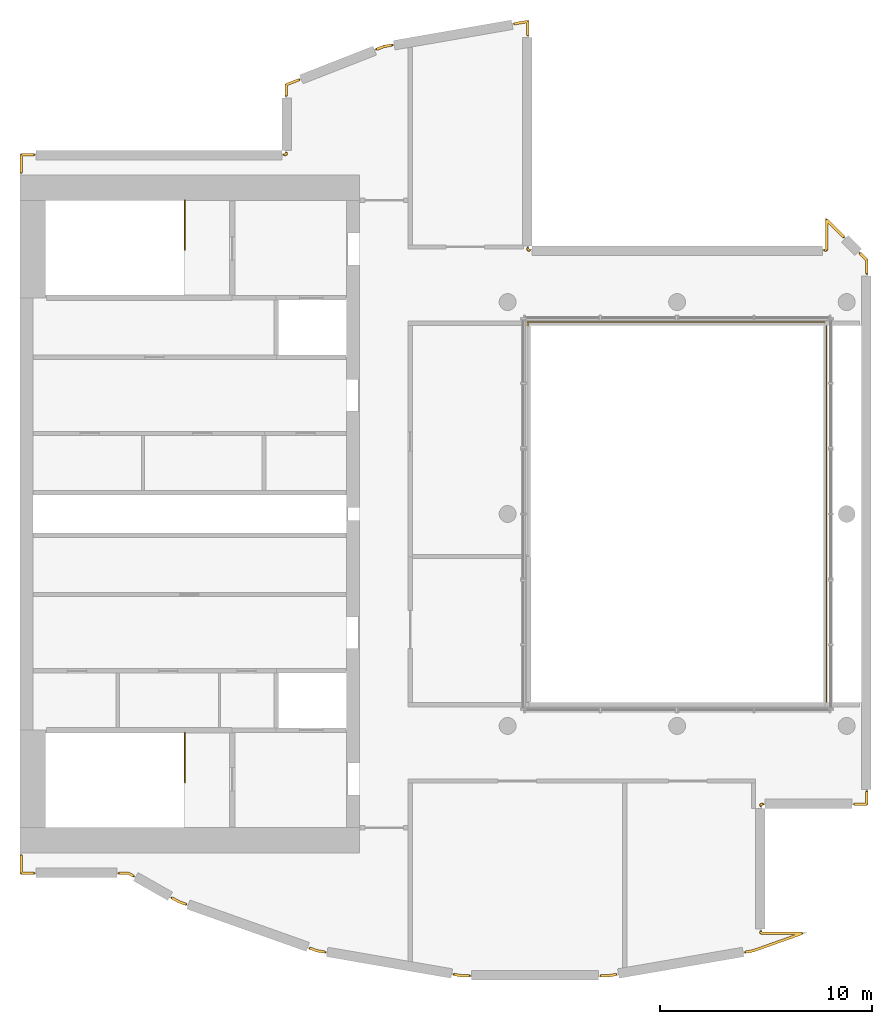
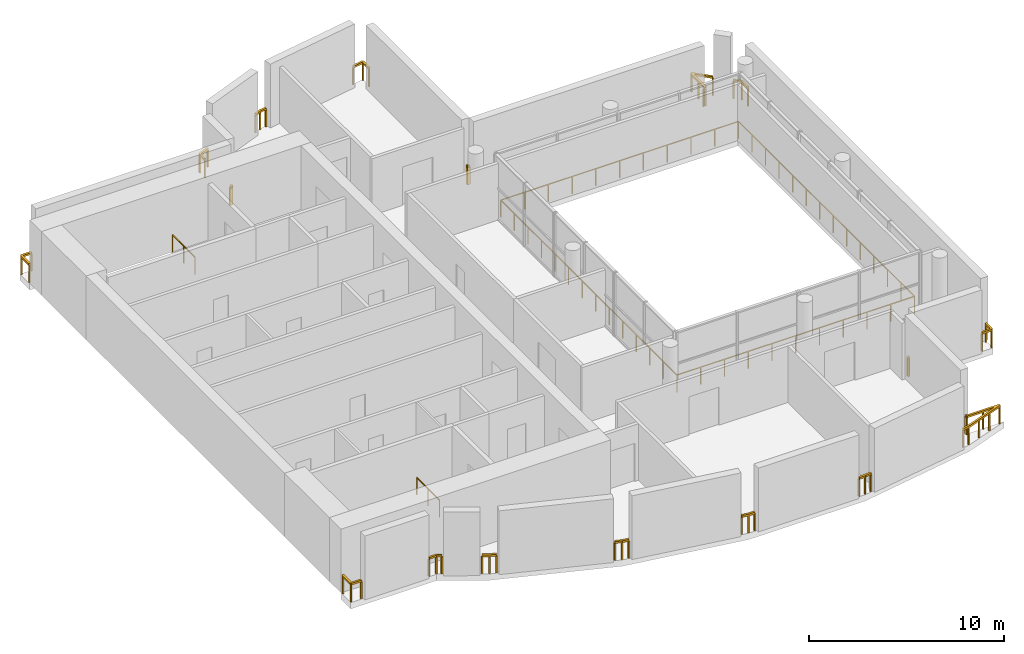
# One storey, part 6 of 6: 20 railings.
"""IFC4 building model written with IfcOpenShell, lengths in metres."""

from ifc_helpers import new_model, si_unit, direction, frame, origin, origin_2d, place, context, subcontext, project, spatial, rectangle, extrude, material, type_object, element, save


model = new_model("IFC4")

# Units and contexts
model_context = context("Model", 3, precision=1e-05, world=origin(), true_north=direction((0.0, 1.0)))
body_context = subcontext(model_context, "Body", "Model", "MODEL_VIEW")
ifc_project = project(units=[si_unit("LENGTHUNIT", "METRE"), si_unit("AREAUNIT", "SQUARE_METRE"), si_unit("VOLUMEUNIT", "CUBIC_METRE"), si_unit("PLANEANGLEUNIT", "RADIAN"), si_unit("MASSUNIT", "GRAM", prefix="KILO")], contexts=[model_context])

# Site, building, storey
site_placement = place(None, origin())
site = spatial("IfcSite", under=ifc_project, at=site_placement, CompositionType="ELEMENT")
building_placement = place(site_placement, origin())
building = spatial("IfcBuilding", under=site, at=building_placement, Name="Cypress Arch Tower", CompositionType="ELEMENT")
storey_placement = place(building_placement, frame((0.0, 0.0, 355.0)))
storey = spatial("IfcBuildingStorey", under=building, at=storey_placement, Name="L81", CompositionType="ELEMENT", Elevation=355.0)

# Railings
ifc_material_1 = material(Name="Stainless steel posts and handrail, laminated glass infill", Category="steel")
railing_type_1 = type_object("IfcRailingType", Name="Atrium guard GR1100A", PredefinedType="GUARDRAIL", material=ifc_material_1)
railing_1_placement = place(storey_placement, frame((8.050048828125, -9.050048828125, 0.0)))
element("IfcRailing", 1, at=railing_1_placement, inside=storey, type_object=railing_type_1, Name="Atrium guard L81", PredefinedType="GUARDRAIL", context=body_context, shape_type="SweptSolid", body=[
    extrude(rectangle(XDim=0.050048828125, YDim=0.050048828125, at=origin_2d()), frame((0.0, 0.0, 1.0751953125), z_axis=(-1.0, 0.0, 0.0), x_axis=(0.0, -1.0, 0.0)), (0.0, 0.0, 1.0), 14.10009765625),
    extrude(rectangle(XDim=0.050048828125, YDim=0.050048828125, at=origin_2d()), frame((-14.10009765625, 0.0, 1.0751953125), z_axis=(0.0, 1.0, 0.0), x_axis=(-1.0, 0.0, 0.0)), (0.0, 0.0, 1.0), 18.10009765625),
    extrude(rectangle(XDim=0.050048828125, YDim=0.050048828125, at=origin_2d()), frame((-14.10009765625, 18.10009765625, 1.0751953125), z_axis=(1.0, 0.0, 0.0), x_axis=(0.0, 1.0, 0.0)), (0.0, 0.0, 1.0), 14.10009765625),
    extrude(rectangle(XDim=0.050048828125, YDim=0.050048828125, at=origin_2d()), frame((0.0, 18.10009765625, 1.0751953125), z_axis=(0.0, -1.0, 0.0), x_axis=(1.0, 0.0, 0.0)), (0.0, 0.0, 1.0), 18.10009765625),
    extrude(rectangle(XDim=0.050048828125, YDim=0.050048828125, at=origin_2d()), origin(), (0.0, 0.0, 1.0), 1.050048828125),
    extrude(rectangle(XDim=0.050048828125, YDim=0.050048828125, at=origin_2d()), frame((-1.409912109375, 0.0, 0.0)), (0.0, 0.0, 1.0), 1.050048828125),
    extrude(rectangle(XDim=0.050048828125, YDim=0.050048828125, at=origin_2d()), frame((-2.820068359375, 0.0, 0.0)), (0.0, 0.0, 1.0), 1.050048828125),
    extrude(rectangle(XDim=0.050048828125, YDim=0.050048828125, at=origin_2d()), frame((-4.22998046875, 0.0, 0.0)), (0.0, 0.0, 1.0), 1.050048828125),
    extrude(rectangle(XDim=0.050048828125, YDim=0.050048828125, at=origin_2d()), frame((-5.64013671875, 0.0, 0.0)), (0.0, 0.0, 1.0), 1.050048828125),
    extrude(rectangle(XDim=0.050048828125, YDim=0.050048828125, at=origin_2d()), frame((-7.050048828125, 0.0, 0.0)), (0.0, 0.0, 1.0), 1.050048828125),
    extrude(rectangle(XDim=0.050048828125, YDim=0.050048828125, at=origin_2d()), frame((-8.4599609375, 0.0, 0.0)), (0.0, 0.0, 1.0), 1.050048828125),
    extrude(rectangle(XDim=0.050048828125, YDim=0.050048828125, at=origin_2d()), frame((-9.8701171875, 0.0, 0.0)), (0.0, 0.0, 1.0), 1.050048828125),
    extrude(rectangle(XDim=0.050048828125, YDim=0.050048828125, at=origin_2d()), frame((-11.280029296875, 0.0, 0.0)), (0.0, 0.0, 1.0), 1.050048828125),
    extrude(rectangle(XDim=0.050048828125, YDim=0.050048828125, at=origin_2d()), frame((-12.690185546875, 0.0, 0.0)), (0.0, 0.0, 1.0), 1.050048828125),
    extrude(rectangle(XDim=0.050048828125, YDim=0.050048828125, at=origin_2d()), frame((-14.10009765625, 0.0, 0.0)), (0.0, 0.0, 1.0), 1.050048828125),
    extrude(rectangle(XDim=0.050048828125, YDim=0.050048828125, at=origin_2d()), frame((-14.10009765625, 1.392333984375, 0.0)), (0.0, 0.0, 1.0), 1.050048828125),
    extrude(rectangle(XDim=0.050048828125, YDim=0.050048828125, at=origin_2d()), frame((-14.10009765625, 2.78466796875, 0.0)), (0.0, 0.0, 1.0), 1.050048828125),
    extrude(rectangle(XDim=0.050048828125, YDim=0.050048828125, at=origin_2d()), frame((-14.10009765625, 4.177001953125, 0.0)), (0.0, 0.0, 1.0), 1.050048828125),
    extrude(rectangle(XDim=0.050048828125, YDim=0.050048828125, at=origin_2d()), frame((-14.10009765625, 5.5693359375, 0.0)), (0.0, 0.0, 1.0), 1.050048828125),
    extrude(rectangle(XDim=0.050048828125, YDim=0.050048828125, at=origin_2d()), frame((-14.10009765625, 6.961669921875, 0.0)), (0.0, 0.0, 1.0), 1.050048828125),
    extrude(rectangle(XDim=0.050048828125, YDim=0.050048828125, at=origin_2d()), frame((-14.10009765625, 8.35400390625, 0.0)), (0.0, 0.0, 1.0), 1.050048828125),
    extrude(rectangle(XDim=0.050048828125, YDim=0.050048828125, at=origin_2d()), frame((-14.10009765625, 9.74609375, 0.0)), (0.0, 0.0, 1.0), 1.050048828125),
    extrude(rectangle(XDim=0.050048828125, YDim=0.050048828125, at=origin_2d()), frame((-14.10009765625, 11.138427734375, 0.0)), (0.0, 0.0, 1.0), 1.050048828125),
    extrude(rectangle(XDim=0.050048828125, YDim=0.050048828125, at=origin_2d()), frame((-14.10009765625, 12.53076171875, 0.0)), (0.0, 0.0, 1.0), 1.050048828125),
    extrude(rectangle(XDim=0.050048828125, YDim=0.050048828125, at=origin_2d()), frame((-14.10009765625, 13.923095703125, 0.0)), (0.0, 0.0, 1.0), 1.050048828125),
    extrude(rectangle(XDim=0.050048828125, YDim=0.050048828125, at=origin_2d()), frame((-14.10009765625, 15.3154296875, 0.0)), (0.0, 0.0, 1.0), 1.050048828125),
    extrude(rectangle(XDim=0.050048828125, YDim=0.050048828125, at=origin_2d()), frame((-14.10009765625, 16.707763671875, 0.0)), (0.0, 0.0, 1.0), 1.050048828125),
    extrude(rectangle(XDim=0.050048828125, YDim=0.050048828125, at=origin_2d()), frame((-14.10009765625, 18.10009765625, 0.0)), (0.0, 0.0, 1.0), 1.050048828125),
    extrude(rectangle(XDim=0.050048828125, YDim=0.050048828125, at=origin_2d()), frame((-12.690185546875, 18.10009765625, 0.0)), (0.0, 0.0, 1.0), 1.050048828125),
    extrude(rectangle(XDim=0.050048828125, YDim=0.050048828125, at=origin_2d()), frame((-11.280029296875, 18.10009765625, 0.0)), (0.0, 0.0, 1.0), 1.050048828125),
    extrude(rectangle(XDim=0.050048828125, YDim=0.050048828125, at=origin_2d()), frame((-9.8701171875, 18.10009765625, 0.0)), (0.0, 0.0, 1.0), 1.050048828125),
    extrude(rectangle(XDim=0.050048828125, YDim=0.050048828125, at=origin_2d()), frame((-8.4599609375, 18.10009765625, 0.0)), (0.0, 0.0, 1.0), 1.050048828125),
    extrude(rectangle(XDim=0.050048828125, YDim=0.050048828125, at=origin_2d()), frame((-7.050048828125, 18.10009765625, 0.0)), (0.0, 0.0, 1.0), 1.050048828125),
    extrude(rectangle(XDim=0.050048828125, YDim=0.050048828125, at=origin_2d()), frame((-5.64013671875, 18.10009765625, 0.0)), (0.0, 0.0, 1.0), 1.050048828125),
    extrude(rectangle(XDim=0.050048828125, YDim=0.050048828125, at=origin_2d()), frame((-4.22998046875, 18.10009765625, 0.0)), (0.0, 0.0, 1.0), 1.050048828125),
    extrude(rectangle(XDim=0.050048828125, YDim=0.050048828125, at=origin_2d()), frame((-2.820068359375, 18.10009765625, 0.0)), (0.0, 0.0, 1.0), 1.050048828125),
    extrude(rectangle(XDim=0.050048828125, YDim=0.050048828125, at=origin_2d()), frame((-1.409912109375, 18.10009765625, 0.0)), (0.0, 0.0, 1.0), 1.050048828125),
    extrude(rectangle(XDim=0.050048828125, YDim=0.050048828125, at=origin_2d()), frame((0.0, 18.10009765625, 0.0)), (0.0, 0.0, 1.0), 1.050048828125),
    extrude(rectangle(XDim=0.050048828125, YDim=0.050048828125, at=origin_2d()), frame((0.0, 16.707763671875, 0.0)), (0.0, 0.0, 1.0), 1.050048828125),
    extrude(rectangle(XDim=0.050048828125, YDim=0.050048828125, at=origin_2d()), frame((0.0, 15.3154296875, 0.0)), (0.0, 0.0, 1.0), 1.050048828125),
    extrude(rectangle(XDim=0.050048828125, YDim=0.050048828125, at=origin_2d()), frame((0.0, 13.923095703125, 0.0)), (0.0, 0.0, 1.0), 1.050048828125),
    extrude(rectangle(XDim=0.050048828125, YDim=0.050048828125, at=origin_2d()), frame((0.0, 12.53076171875, 0.0)), (0.0, 0.0, 1.0), 1.050048828125),
    extrude(rectangle(XDim=0.050048828125, YDim=0.050048828125, at=origin_2d()), frame((0.0, 11.138427734375, 0.0)), (0.0, 0.0, 1.0), 1.050048828125),
    extrude(rectangle(XDim=0.050048828125, YDim=0.050048828125, at=origin_2d()), frame((0.0, 9.74609375, 0.0)), (0.0, 0.0, 1.0), 1.050048828125),
    extrude(rectangle(XDim=0.050048828125, YDim=0.050048828125, at=origin_2d()), frame((0.0, 8.35400390625, 0.0)), (0.0, 0.0, 1.0), 1.050048828125),
    extrude(rectangle(XDim=0.050048828125, YDim=0.050048828125, at=origin_2d()), frame((0.0, 6.961669921875, 0.0)), (0.0, 0.0, 1.0), 1.050048828125),
    extrude(rectangle(XDim=0.050048828125, YDim=0.050048828125, at=origin_2d()), frame((0.0, 5.5693359375, 0.0)), (0.0, 0.0, 1.0), 1.050048828125),
    extrude(rectangle(XDim=0.050048828125, YDim=0.050048828125, at=origin_2d()), frame((0.0, 4.177001953125, 0.0)), (0.0, 0.0, 1.0), 1.050048828125),
    extrude(rectangle(XDim=0.050048828125, YDim=0.050048828125, at=origin_2d()), frame((0.0, 2.78466796875, 0.0)), (0.0, 0.0, 1.0), 1.050048828125),
    extrude(rectangle(XDim=0.050048828125, YDim=0.050048828125, at=origin_2d()), frame((0.0, 1.392333984375, 0.0)), (0.0, 0.0, 1.0), 1.050048828125),
])
ifc_material_2 = material(Name="Stainless steel posts and handrail, laminated glass infill", Category="steel")
railing_type_2 = type_object("IfcRailingType", Name="Deck guard GR1200D", PredefinedType="GUARDRAIL", material=ifc_material_2)
railing_2_placement = place(storey_placement, frame((-29.35009765625, -16.949951171875, 0.0)))
element("IfcRailing", 2, at=railing_2_placement, inside=storey, type_object=railing_type_2, Name="Crown edge guard L81 1", PredefinedType="GUARDRAIL", context=body_context, shape_type="SweptSolid", body=[
    extrude(rectangle(XDim=0.1201171875, YDim=0.1201171875, at=origin_2d()), frame((0.0, 0.0, 1.139892578125), z_axis=(-1.0, 0.0, 0.0), x_axis=(0.0, -1.0, 0.0)), (0.0, 0.0, 1.0), 0.599853515625),
    extrude(rectangle(XDim=0.1201171875, YDim=0.1201171875, at=origin_2d()), frame((-0.599853515625, 0.0, 1.139892578125), z_axis=(0.0, 1.0, 0.0), x_axis=(-1.0, 0.0, 0.0)), (0.0, 0.0, 1.0), 0.849853515625),
    extrude(rectangle(XDim=0.080078125, YDim=0.080078125, at=origin_2d()), origin(), (0.0, 0.0, 1.0), 1.079833984375),
    extrude(rectangle(XDim=0.080078125, YDim=0.080078125, at=origin_2d()), frame((-0.599853515625, 0.0, 0.0)), (0.0, 0.0, 1.0), 1.079833984375),
    extrude(rectangle(XDim=0.080078125, YDim=0.080078125, at=origin_2d()), frame((-0.599853515625, 0.849853515625, 0.0)), (0.0, 0.0, 1.0), 1.079833984375),
])
railing_3_placement = place(storey_placement, frame((-29.949951171875, 16.10009765625, 0.0)))
element("IfcRailing", 3, at=railing_3_placement, inside=storey, type_object=railing_type_2, Name="Crown edge guard L81 2", PredefinedType="GUARDRAIL", context=body_context, shape_type="SweptSolid", body=[
    extrude(rectangle(XDim=0.1201171875, YDim=0.1201171875, at=origin_2d()), frame((0.0, 0.0, 1.139892578125), z_axis=(0.0, 1.0, 0.0), x_axis=(-1.0, 0.0, 0.0)), (0.0, 0.0, 1.0), 0.849853515625),
    extrude(rectangle(XDim=0.1201171875, YDim=0.1201171875, at=origin_2d()), frame((0.0, 0.849853515625, 1.139892578125), z_axis=(1.0, 0.0, 0.0), x_axis=(0.0, 1.0, 0.0)), (0.0, 0.0, 1.0), 0.599853515625),
    extrude(rectangle(XDim=0.080078125, YDim=0.080078125, at=origin_2d()), origin(), (0.0, 0.0, 1.0), 1.079833984375),
    extrude(rectangle(XDim=0.080078125, YDim=0.080078125, at=origin_2d()), frame((0.0, 0.849853515625, 0.0)), (0.0, 0.0, 1.0), 1.079833984375),
    extrude(rectangle(XDim=0.080078125, YDim=0.080078125, at=origin_2d()), frame((0.599853515625, 0.849853515625, 0.0)), (0.0, 0.0, 1.0), 1.079833984375),
])
railing_4_placement = place(storey_placement, frame((-24.6494140625, -17.08984375, 0.0)))
element("IfcRailing", 4, at=railing_4_placement, inside=storey, type_object=railing_type_2, Name="Crown edge guard L81 3", PredefinedType="GUARDRAIL", context=body_context, shape_type="SweptSolid", body=[
    extrude(rectangle(XDim=0.1201171875, YDim=0.1201171875, at=origin_2d()), frame((0.0, 0.0, 1.139892578125), z_axis=(-0.87040276366, 0.492340358911, 0.0), x_axis=(-0.492340358911, -0.87040276366, 0.0)), (0.0, 0.0, 1.0), 0.2841796875),
    extrude(rectangle(XDim=0.1201171875, YDim=0.1201171875, at=origin_2d()), frame((-0.247314453125, 0.139892578125, 1.139892578125), z_axis=(-1.0, 0.0, 0.0), x_axis=(0.0, -1.0, 0.0)), (0.0, 0.0, 1.0), 0.447509765625),
    extrude(rectangle(XDim=0.080078125, YDim=0.080078125, at=origin_2d()), origin(), (0.0, 0.0, 1.0), 1.079833984375),
    extrude(rectangle(XDim=0.080078125, YDim=0.080078125, at=origin_2d()), frame((-0.247314453125, 0.139892578125, 0.0)), (0.0, 0.0, 1.0), 1.079833984375),
    extrude(rectangle(XDim=0.080078125, YDim=0.080078125, at=origin_2d()), frame((-0.69482421875, 0.139892578125, 0.0)), (0.0, 0.0, 1.0), 1.079833984375),
])
railing_5_placement = place(storey_placement, frame((-22.168701171875, -18.418701171875, 0.0)))
element("IfcRailing", 5, at=railing_5_placement, inside=storey, type_object=railing_type_2, Name="Crown edge guard L81 4", PredefinedType="GUARDRAIL", context=body_context, shape_type="SweptSolid", body=[
    extrude(rectangle(XDim=0.1201171875, YDim=0.1201171875, at=origin_2d()), frame((0.0, 0.0, 1.139892578125), z_axis=(-0.942334309337, 0.334673048581, 0.0), x_axis=(-0.334673048581, -0.942334309337, 0.0)), (0.0, 0.0, 1.0), 0.3720703125),
    extrude(rectangle(XDim=0.1201171875, YDim=0.1201171875, at=origin_2d()), frame((-0.3505859375, 0.12451171875, 1.139892578125), z_axis=(-0.870574848938, 0.492036007215, 0.0), x_axis=(-0.492036007215, -0.870574848938, 0.0)), (0.0, 0.0, 1.0), 0.378662109375),
    extrude(rectangle(XDim=0.080078125, YDim=0.080078125, at=origin_2d()), origin(), (0.0, 0.0, 1.0), 1.079833984375),
    extrude(rectangle(XDim=0.080078125, YDim=0.080078125, at=origin_2d()), frame((-0.3505859375, 0.12451171875, 0.0)), (0.0, 0.0, 1.0), 1.079833984375),
    extrude(rectangle(XDim=0.080078125, YDim=0.080078125, at=origin_2d()), frame((-0.68017578125, 0.310791015625, 0.0)), (0.0, 0.0, 1.0), 1.079833984375),
])
railing_6_placement = place(storey_placement, frame((-17.550048828125, 16.949951171875, 0.0)))
element("IfcRailing", 6, at=railing_6_placement, inside=storey, type_object=railing_type_2, Name="Crown edge guard L81 5", PredefinedType="GUARDRAIL", context=body_context, shape_type="SweptSolid", body=[
    extrude(rectangle(XDim=0.1201171875, YDim=0.1201171875, at=origin_2d()), frame((0.0, 0.0, 1.139892578125), z_axis=(1.0, 0.0, 0.0), x_axis=(0.0, 1.0, 0.0)), (0.0, 0.0, 1.0), 0.10009765625),
    extrude(rectangle(XDim=0.1201171875, YDim=0.1201171875, at=origin_2d()), frame((0.10009765625, 0.0, 1.139892578125), z_axis=(0.0, 1.0, 0.0), x_axis=(-1.0, 0.0, 0.0)), (0.0, 0.0, 1.0), 0.10009765625),
    extrude(rectangle(XDim=0.080078125, YDim=0.080078125, at=origin_2d()), origin(), (0.0, 0.0, 1.0), 1.079833984375),
    extrude(rectangle(XDim=0.080078125, YDim=0.080078125, at=origin_2d()), frame((0.10009765625, 0.0, 0.0)), (0.0, 0.0, 1.0), 1.079833984375),
    extrude(rectangle(XDim=0.080078125, YDim=0.080078125, at=origin_2d()), frame((0.10009765625, 0.10009765625, 0.0)), (0.0, 0.0, 1.0), 1.079833984375),
])
railing_7_placement = place(storey_placement, frame((-17.449951171875, 19.7353515625, 0.0)))
element("IfcRailing", 7, at=railing_7_placement, inside=storey, type_object=railing_type_2, Name="Crown edge guard L81 6", PredefinedType="GUARDRAIL", context=body_context, shape_type="SweptSolid", body=[
    extrude(rectangle(XDim=0.1201171875, YDim=0.1201171875, at=origin_2d()), frame((0.0, 0.0, 1.139892578125), z_axis=(0.0, 1.0, 0.0), x_axis=(-1.0, 0.0, 0.0)), (0.0, 0.0, 1.0), 0.5205078125),
    extrude(rectangle(XDim=0.1201171875, YDim=0.1201171875, at=origin_2d()), frame((0.0, 0.5205078125, 1.139892578125), z_axis=(0.93118214657, 0.364554261954, 0.0), x_axis=(-0.364554261954, 0.93118214657, 0.0)), (0.0, 0.0, 1.0), 0.653564453125),
    extrude(rectangle(XDim=0.080078125, YDim=0.080078125, at=origin_2d()), origin(), (0.0, 0.0, 1.0), 1.079833984375),
    extrude(rectangle(XDim=0.080078125, YDim=0.080078125, at=origin_2d()), frame((0.0, 0.5205078125, 0.0)), (0.0, 0.0, 1.0), 1.079833984375),
    extrude(rectangle(XDim=0.080078125, YDim=0.080078125, at=origin_2d()), frame((0.608642578125, 0.7587890625, 0.0)), (0.0, 0.0, 1.0), 1.079833984375),
])
railing_8_placement = place(storey_placement, frame((-15.621337890625, -20.6748046875, 0.0)))
element("IfcRailing", 8, at=railing_8_placement, inside=storey, type_object=railing_type_2, Name="Crown edge guard L81 7", PredefinedType="GUARDRAIL", context=body_context, shape_type="SweptSolid", body=[
    extrude(rectangle(XDim=0.1201171875, YDim=0.1201171875, at=origin_2d()), frame((0.0, 0.0, 1.139892578125), z_axis=(-0.985399325675, 0.170259122982, 0.0), x_axis=(-0.170259122982, -0.985399325675, 0.0)), (0.0, 0.0, 1.0), 0.371337890625),
    extrude(rectangle(XDim=0.1201171875, YDim=0.1201171875, at=origin_2d()), frame((-0.365966796875, 0.063232421875, 1.139892578125), z_axis=(-0.942368632672, 0.334576389119, 0.0), x_axis=(-0.334576389119, -0.942368632672, 0.0)), (0.0, 0.0, 1.0), 0.3779296875),
    extrude(rectangle(XDim=0.080078125, YDim=0.080078125, at=origin_2d()), origin(), (0.0, 0.0, 1.0), 1.079833984375),
    extrude(rectangle(XDim=0.080078125, YDim=0.080078125, at=origin_2d()), frame((-0.365966796875, 0.063232421875, 0.0)), (0.0, 0.0, 1.0), 1.079833984375),
    extrude(rectangle(XDim=0.080078125, YDim=0.080078125, at=origin_2d()), frame((-0.72216796875, 0.189697265625, 0.0)), (0.0, 0.0, 1.0), 1.079833984375),
])
railing_9_placement = place(storey_placement, frame((-13.185791015625, 21.9248046875, 0.0)))
element("IfcRailing", 9, at=railing_9_placement, inside=storey, type_object=railing_type_2, Name="Crown edge guard L81 8", PredefinedType="GUARDRAIL", context=body_context, shape_type="SweptSolid", body=[
    extrude(rectangle(XDim=0.1201171875, YDim=0.1201171875, at=origin_2d()), frame((0.0, 0.0, 1.139892578125), z_axis=(0.931233178051, 0.364423885191, 0.0), x_axis=(-0.364423885191, 0.931233178051, 0.0)), (0.0, 0.0, 1.0), 0.375244140625),
    extrude(rectangle(XDim=0.1201171875, YDim=0.1201171875, at=origin_2d()), frame((0.349365234375, 0.13671875, 1.139892578125), z_axis=(0.985183769906, 0.171502010235, 0.0), x_axis=(-0.171502010235, 0.985183769906, 0.0)), (0.0, 0.0, 1.0), 0.38427734375),
    extrude(rectangle(XDim=0.080078125, YDim=0.080078125, at=origin_2d()), origin(), (0.0, 0.0, 1.0), 1.079833984375),
    extrude(rectangle(XDim=0.080078125, YDim=0.080078125, at=origin_2d()), frame((0.349365234375, 0.13671875, 0.0)), (0.0, 0.0, 1.0), 1.079833984375),
    extrude(rectangle(XDim=0.080078125, YDim=0.080078125, at=origin_2d()), frame((0.72802734375, 0.20263671875, 0.0)), (0.0, 0.0, 1.0), 1.079833984375),
])
railing_10_placement = place(storey_placement, frame((-8.794189453125, -21.7900390625, 0.0)))
element("IfcRailing", 10, at=railing_10_placement, inside=storey, type_object=railing_type_2, Name="Crown edge guard L81 9", PredefinedType="GUARDRAIL", context=body_context, shape_type="SweptSolid", body=[
    extrude(rectangle(XDim=0.1201171875, YDim=0.1201171875, at=origin_2d()), frame((0.0, 0.0, 1.139892578125), z_axis=(-1.0, 0.0, 0.0), x_axis=(0.0, -1.0, 0.0)), (0.0, 0.0, 1.0), 0.37158203125),
    extrude(rectangle(XDim=0.1201171875, YDim=0.1201171875, at=origin_2d()), frame((-0.37158203125, 0.0, 1.139892578125), z_axis=(-0.985363023372, 0.170469094476, 0.0), x_axis=(-0.170469094476, -0.985363023372, 0.0)), (0.0, 0.0, 1.0), 0.378173828125),
    extrude(rectangle(XDim=0.080078125, YDim=0.080078125, at=origin_2d()), origin(), (0.0, 0.0, 1.0), 1.079833984375),
    extrude(rectangle(XDim=0.080078125, YDim=0.080078125, at=origin_2d()), frame((-0.37158203125, 0.0, 0.0)), (0.0, 0.0, 1.0), 1.079833984375),
    extrude(rectangle(XDim=0.080078125, YDim=0.080078125, at=origin_2d()), frame((-0.744140625, 0.064453125, 0.0)), (0.0, 0.0, 1.0), 1.079833984375),
])
railing_11_placement = place(storey_placement, frame((-6.6875, 23.1298828125, 0.0)))
element("IfcRailing", 11, at=railing_11_placement, inside=storey, type_object=railing_type_2, Name="Crown edge guard L81 10", PredefinedType="GUARDRAIL", context=body_context, shape_type="SweptSolid", body=[
    extrude(rectangle(XDim=0.1201171875, YDim=0.1201171875, at=origin_2d()), frame((0.0, 0.0, 1.139892578125), z_axis=(0.985280914319, 0.170943031094, 0.0), x_axis=(-0.170943031094, 0.985280914319, 0.0)), (0.0, 0.0, 1.0), 0.64697265625),
    extrude(rectangle(XDim=0.1201171875, YDim=0.1201171875, at=origin_2d()), frame((0.637451171875, 0.110595703125, 1.139892578125), z_axis=(0.0, -1.0, 0.0), x_axis=(1.0, 0.0, 0.0)), (0.0, 0.0, 1.0), 0.65380859375),
    extrude(rectangle(XDim=0.080078125, YDim=0.080078125, at=origin_2d()), origin(), (0.0, 0.0, 1.0), 1.079833984375),
    extrude(rectangle(XDim=0.080078125, YDim=0.080078125, at=origin_2d()), frame((0.637451171875, 0.110595703125, 0.0)), (0.0, 0.0, 1.0), 1.079833984375),
    extrude(rectangle(XDim=0.080078125, YDim=0.080078125, at=origin_2d()), frame((0.637451171875, -0.543212890625, 0.0)), (0.0, 0.0, 1.0), 1.079833984375),
])
railing_12_placement = place(storey_placement, frame((-6.050048828125, 12.550048828125, 0.0)))
element("IfcRailing", 12, at=railing_12_placement, inside=storey, type_object=railing_type_2, Name="Crown edge guard L81 11", PredefinedType="GUARDRAIL", context=body_context, shape_type="SweptSolid", body=[
    extrude(rectangle(XDim=0.1201171875, YDim=0.1201171875, at=origin_2d()), frame((0.0, 0.0, 1.139892578125), z_axis=(0.0, -1.0, 0.0), x_axis=(1.0, 0.0, 0.0)), (0.0, 0.0, 1.0), 0.10009765625),
    extrude(rectangle(XDim=0.1201171875, YDim=0.1201171875, at=origin_2d()), frame((0.0, -0.10009765625, 1.139892578125), z_axis=(1.0, 0.0, 0.0), x_axis=(0.0, 1.0, 0.0)), (0.0, 0.0, 1.0), 0.10009765625),
    extrude(rectangle(XDim=0.080078125, YDim=0.080078125, at=origin_2d()), origin(), (0.0, 0.0, 1.0), 1.079833984375),
    extrude(rectangle(XDim=0.080078125, YDim=0.080078125, at=origin_2d()), frame((0.0, -0.10009765625, 0.0)), (0.0, 0.0, 1.0), 1.079833984375),
    extrude(rectangle(XDim=0.080078125, YDim=0.080078125, at=origin_2d()), frame((0.10009765625, -0.10009765625, 0.0)), (0.0, 0.0, 1.0), 1.079833984375),
])
railing_13_placement = place(storey_placement, frame((-1.868408203125, -21.726806640625, 0.0)))
element("IfcRailing", 13, at=railing_13_placement, inside=storey, type_object=railing_type_2, Name="Crown edge guard L81 12", PredefinedType="GUARDRAIL", context=body_context, shape_type="SweptSolid", body=[
    extrude(rectangle(XDim=0.1201171875, YDim=0.1201171875, at=origin_2d()), frame((0.0, 0.0, 1.139892578125), z_axis=(-0.985399325675, -0.170259122982, 0.0), x_axis=(0.170259122982, -0.985399325675, 0.0)), (0.0, 0.0, 1.0), 0.371337890625),
    extrude(rectangle(XDim=0.1201171875, YDim=0.1201171875, at=origin_2d()), frame((-0.365966796875, -0.063232421875, 1.139892578125), z_axis=(-1.0, 0.0, 0.0), x_axis=(0.0, -1.0, 0.0)), (0.0, 0.0, 1.0), 0.3779296875),
    extrude(rectangle(XDim=0.080078125, YDim=0.080078125, at=origin_2d()), origin(), (0.0, 0.0, 1.0), 1.079833984375),
    extrude(rectangle(XDim=0.080078125, YDim=0.080078125, at=origin_2d()), frame((-0.365966796875, -0.063232421875, 0.0)), (0.0, 0.0, 1.0), 1.079833984375),
    extrude(rectangle(XDim=0.080078125, YDim=0.080078125, at=origin_2d()), frame((-0.743896484375, -0.063232421875, 0.0)), (0.0, 0.0, 1.0), 1.079833984375),
])
railing_14_placement = place(storey_placement, frame((4.949951171875, -19.68994140625, 0.0)))
element("IfcRailing", 14, at=railing_14_placement, inside=storey, type_object=railing_type_2, Name="Crown edge guard L81 13", PredefinedType="GUARDRAIL", context=body_context, shape_type="SweptSolid", body=[
    extrude(rectangle(XDim=0.1201171875, YDim=0.1201171875, at=origin_2d()), frame((0.0, 0.0, 1.139892578125), z_axis=(0.0, -1.0, 0.0), x_axis=(1.0, 0.0, 0.0)), (0.0, 0.0, 1.0), 0.10009765625),
    extrude(rectangle(XDim=0.1201171875, YDim=0.1201171875, at=origin_2d()), frame((0.0, -0.10009765625, 1.139892578125), z_axis=(1.0, 0.0, 0.0), x_axis=(0.0, 1.0, 0.0)), (0.0, 0.0, 1.0), 1.949951171875),
    extrude(rectangle(XDim=0.1201171875, YDim=0.1201171875, at=origin_2d()), frame((1.949951171875, -0.10009765625, 1.139892578125), z_axis=(-0.942303280512, -0.33476040318, 0.0), x_axis=(0.33476040318, -0.942303280512, 0.0)), (0.0, 0.0, 1.0), 2.4541015625),
    extrude(rectangle(XDim=0.1201171875, YDim=0.1201171875, at=origin_2d()), frame((-0.362548828125, -0.921630859375, 1.139892578125), z_axis=(-0.9854712993, -0.169842039132, 0.0), x_axis=(0.169842039132, -0.9854712993, 0.0)), (0.0, 0.0, 1.0), 0.3779296875),
    extrude(rectangle(XDim=0.080078125, YDim=0.080078125, at=origin_2d()), origin(), (0.0, 0.0, 1.0), 1.079833984375),
    extrude(rectangle(XDim=0.080078125, YDim=0.080078125, at=origin_2d()), frame((0.0, -0.10009765625, 0.0)), (0.0, 0.0, 1.0), 1.079833984375),
    extrude(rectangle(XDim=0.080078125, YDim=0.080078125, at=origin_2d()), frame((0.97509765625, -0.10009765625, 0.0)), (0.0, 0.0, 1.0), 1.079833984375),
    extrude(rectangle(XDim=0.080078125, YDim=0.080078125, at=origin_2d()), frame((1.949951171875, -0.10009765625, 0.0)), (0.0, 0.0, 1.0), 1.079833984375),
    extrude(rectangle(XDim=0.080078125, YDim=0.080078125, at=origin_2d()), frame((1.17919921875, -0.3740234375, 0.0)), (0.0, 0.0, 1.0), 1.079833984375),
    extrude(rectangle(XDim=0.080078125, YDim=0.080078125, at=origin_2d()), frame((0.408203125, -0.647705078125, 0.0)), (0.0, 0.0, 1.0), 1.079833984375),
    extrude(rectangle(XDim=0.080078125, YDim=0.080078125, at=origin_2d()), frame((-0.362548828125, -0.921630859375, 0.0)), (0.0, 0.0, 1.0), 1.079833984375),
    extrude(rectangle(XDim=0.080078125, YDim=0.080078125, at=origin_2d()), frame((-0.735107421875, -0.98583984375, 0.0)), (0.0, 0.0, 1.0), 1.079833984375),
])
railing_15_placement = place(storey_placement, frame((5.050048828125, -13.68994140625, 0.0)))
element("IfcRailing", 15, at=railing_15_placement, inside=storey, type_object=railing_type_2, Name="Crown edge guard L81 14", PredefinedType="GUARDRAIL", context=body_context, shape_type="SweptSolid", body=[
    extrude(rectangle(XDim=0.1201171875, YDim=0.1201171875, at=origin_2d()), frame((0.0, 0.0, 1.139892578125), z_axis=(-1.0, 0.0, 0.0), x_axis=(0.0, -1.0, 0.0)), (0.0, 0.0, 1.0), 0.10009765625),
    extrude(rectangle(XDim=0.1201171875, YDim=0.1201171875, at=origin_2d()), frame((-0.10009765625, 0.0, 1.139892578125), z_axis=(0.0, -1.0, 0.0), x_axis=(1.0, 0.0, 0.0)), (0.0, 0.0, 1.0), 0.10009765625),
    extrude(rectangle(XDim=0.080078125, YDim=0.080078125, at=origin_2d()), origin(), (0.0, 0.0, 1.0), 1.079833984375),
    extrude(rectangle(XDim=0.080078125, YDim=0.080078125, at=origin_2d()), frame((-0.10009765625, 0.0, 0.0)), (0.0, 0.0, 1.0), 1.079833984375),
    extrude(rectangle(XDim=0.080078125, YDim=0.080078125, at=origin_2d()), frame((-0.10009765625, -0.10009765625, 0.0)), (0.0, 0.0, 1.0), 1.079833984375),
])
railing_16_placement = place(storey_placement, frame((7.949951171875, 12.449951171875, 0.0)))
element("IfcRailing", 16, at=railing_16_placement, inside=storey, type_object=railing_type_2, Name="Crown edge guard L81 15", PredefinedType="GUARDRAIL", context=body_context, shape_type="SweptSolid", body=[
    extrude(rectangle(XDim=0.1201171875, YDim=0.1201171875, at=origin_2d()), frame((0.0, 0.0, 1.139892578125), z_axis=(1.0, 0.0, 0.0), x_axis=(0.0, 1.0, 0.0)), (0.0, 0.0, 1.0), 0.10009765625),
    extrude(rectangle(XDim=0.1201171875, YDim=0.1201171875, at=origin_2d()), frame((0.10009765625, 0.0, 1.139892578125), z_axis=(0.0, 1.0, 0.0), x_axis=(-1.0, 0.0, 0.0)), (0.0, 0.0, 1.0), 1.429443359375),
    extrude(rectangle(XDim=0.1201171875, YDim=0.1201171875, at=origin_2d()), frame((0.10009765625, 1.429443359375, 1.139892578125), z_axis=(0.707106781187, -0.707106781187, 0.0), x_axis=(0.707106781187, 0.707106781187, 0.0)), (0.0, 0.0, 1.0), 1.14013671875),
    extrude(rectangle(XDim=0.080078125, YDim=0.080078125, at=origin_2d()), origin(), (0.0, 0.0, 1.0), 1.079833984375),
    extrude(rectangle(XDim=0.080078125, YDim=0.080078125, at=origin_2d()), frame((0.10009765625, 0.0, 0.0)), (0.0, 0.0, 1.0), 1.079833984375),
    extrude(rectangle(XDim=0.080078125, YDim=0.080078125, at=origin_2d()), frame((0.10009765625, 0.71484375, 0.0)), (0.0, 0.0, 1.0), 1.079833984375),
    extrude(rectangle(XDim=0.080078125, YDim=0.080078125, at=origin_2d()), frame((0.10009765625, 1.429443359375, 0.0)), (0.0, 0.0, 1.0), 1.079833984375),
    extrude(rectangle(XDim=0.080078125, YDim=0.080078125, at=origin_2d()), frame((0.90625, 0.623291015625, 0.0)), (0.0, 0.0, 1.0), 1.079833984375),
])
railing_17_placement = place(storey_placement, frame((9.949951171875, -13.090087890625, 0.0)))
element("IfcRailing", 17, at=railing_17_placement, inside=storey, type_object=railing_type_2, Name="Crown edge guard L81 16", PredefinedType="GUARDRAIL", context=body_context, shape_type="SweptSolid", body=[
    extrude(rectangle(XDim=0.1201171875, YDim=0.1201171875, at=origin_2d()), frame((0.0, 0.0, 1.139892578125), z_axis=(0.0, -1.0, 0.0), x_axis=(1.0, 0.0, 0.0)), (0.0, 0.0, 1.0), 0.599853515625),
    extrude(rectangle(XDim=0.1201171875, YDim=0.1201171875, at=origin_2d()), frame((0.0, -0.599853515625, 1.139892578125), z_axis=(-1.0, 0.0, 0.0), x_axis=(0.0, -1.0, 0.0)), (0.0, 0.0, 1.0), 0.599853515625),
    extrude(rectangle(XDim=0.080078125, YDim=0.080078125, at=origin_2d()), origin(), (0.0, 0.0, 1.0), 1.079833984375),
    extrude(rectangle(XDim=0.080078125, YDim=0.080078125, at=origin_2d()), frame((0.0, -0.599853515625, 0.0)), (0.0, 0.0, 1.0), 1.079833984375),
    extrude(rectangle(XDim=0.080078125, YDim=0.080078125, at=origin_2d()), frame((-0.599853515625, -0.599853515625, 0.0)), (0.0, 0.0, 1.0), 1.079833984375),
])
railing_18_placement = place(storey_placement, frame((9.62939453125, 12.300048828125, 0.0)))
element("IfcRailing", 18, at=railing_18_placement, inside=storey, type_object=railing_type_2, Name="Crown edge guard L81 17", PredefinedType="GUARDRAIL", context=body_context, shape_type="SweptSolid", body=[
    extrude(rectangle(XDim=0.1201171875, YDim=0.1201171875, at=origin_2d()), frame((0.0, 0.0, 1.139892578125), z_axis=(0.706837561044, -0.707375898867, 0.0), x_axis=(0.707375898867, 0.706837561044, 0.0)), (0.0, 0.0, 1.0), 0.45361328125),
    extrude(rectangle(XDim=0.1201171875, YDim=0.1201171875, at=origin_2d()), frame((0.320556640625, -0.32080078125, 1.139892578125), z_axis=(0.0, -1.0, 0.0), x_axis=(1.0, 0.0, 0.0)), (0.0, 0.0, 1.0), 0.639892578125),
    extrude(rectangle(XDim=0.080078125, YDim=0.080078125, at=origin_2d()), origin(), (0.0, 0.0, 1.0), 1.079833984375),
    extrude(rectangle(XDim=0.080078125, YDim=0.080078125, at=origin_2d()), frame((0.320556640625, -0.32080078125, 0.0)), (0.0, 0.0, 1.0), 1.079833984375),
    extrude(rectangle(XDim=0.080078125, YDim=0.080078125, at=origin_2d()), frame((0.320556640625, -0.960693359375, 0.0)), (0.0, 0.0, 1.0), 1.079833984375),
])
ifc_material_3 = material(Name="Black powder-coated steel balusters", Category="steel")
railing_type_3 = type_object("IfcRailingType", Name="Stair well guard G1", PredefinedType="GUARDRAIL", material=ifc_material_3)
for number, where, name in (
    (19, (-22.22509765625, -10.324951171875, 0.0), "L81 A top well guard 1"),
    (20, (-22.22509765625, 14.800048828125, 0.0), "L81 B top well guard 1"),
):
    element("IfcRailing", number, at=place(storey_placement, frame(where)), inside=storey, type_object=railing_type_3, Name=name, PredefinedType="GUARDRAIL", context=body_context, shape_type="SweptSolid", body=[
        extrude(rectangle(XDim=0.048095703125, YDim=0.048095703125, at=origin_2d()), frame((0.0, 0.0, 1.076171875), z_axis=(0.0, -1.0, 0.0), x_axis=(1.0, 0.0, 0.0)), (0.0, 0.0, 1.0), 2.324951171875),
        extrude(rectangle(XDim=0.0419921875, YDim=0.0419921875, at=origin_2d()), origin(), (0.0, 0.0, 1.0), 1.052001953125),
        extrude(rectangle(XDim=0.0419921875, YDim=0.0419921875, at=origin_2d()), frame((0.0, -1.16259765625, 0.0)), (0.0, 0.0, 1.0), 1.052001953125),
        extrude(rectangle(XDim=0.0419921875, YDim=0.0419921875, at=origin_2d()), frame((0.0, -2.324951171875, 0.0)), (0.0, 0.0, 1.0), 1.052001953125),
    ])

save(model, "model.ifc")
